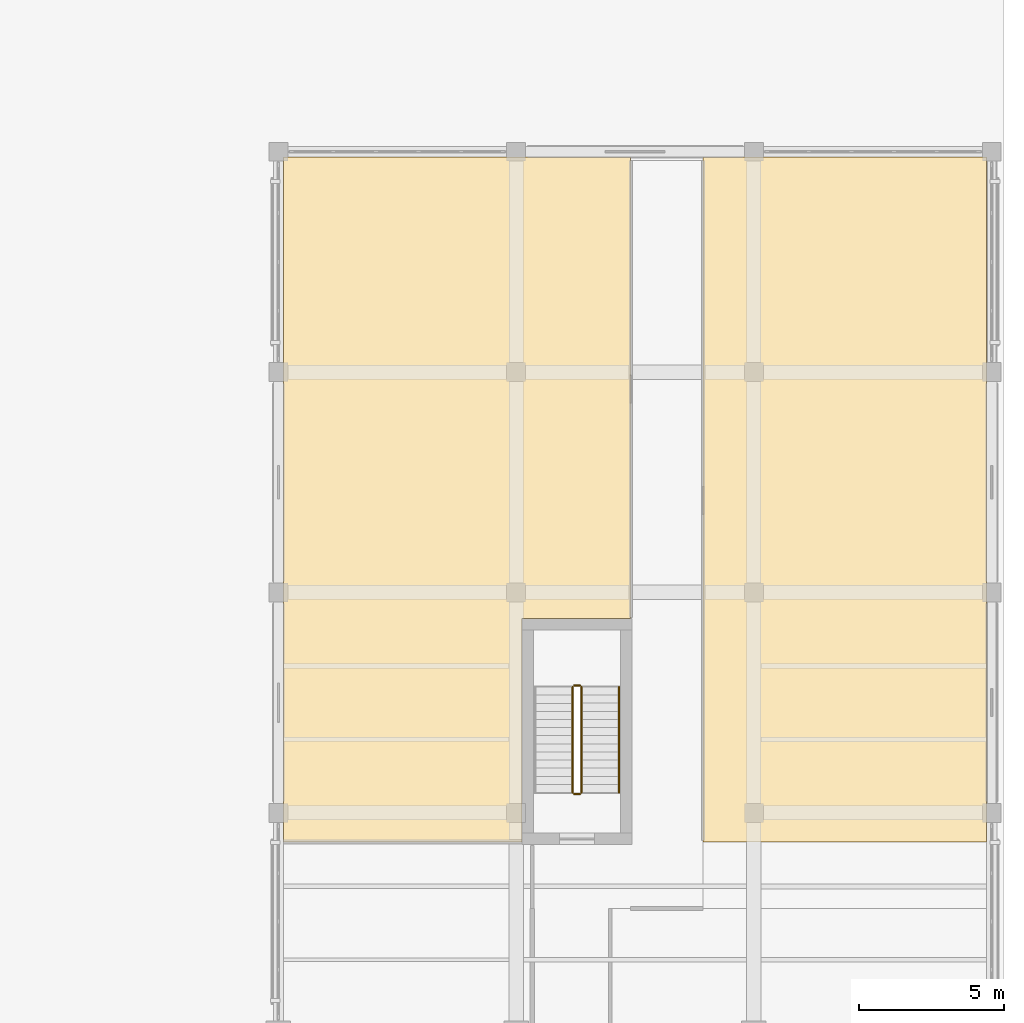
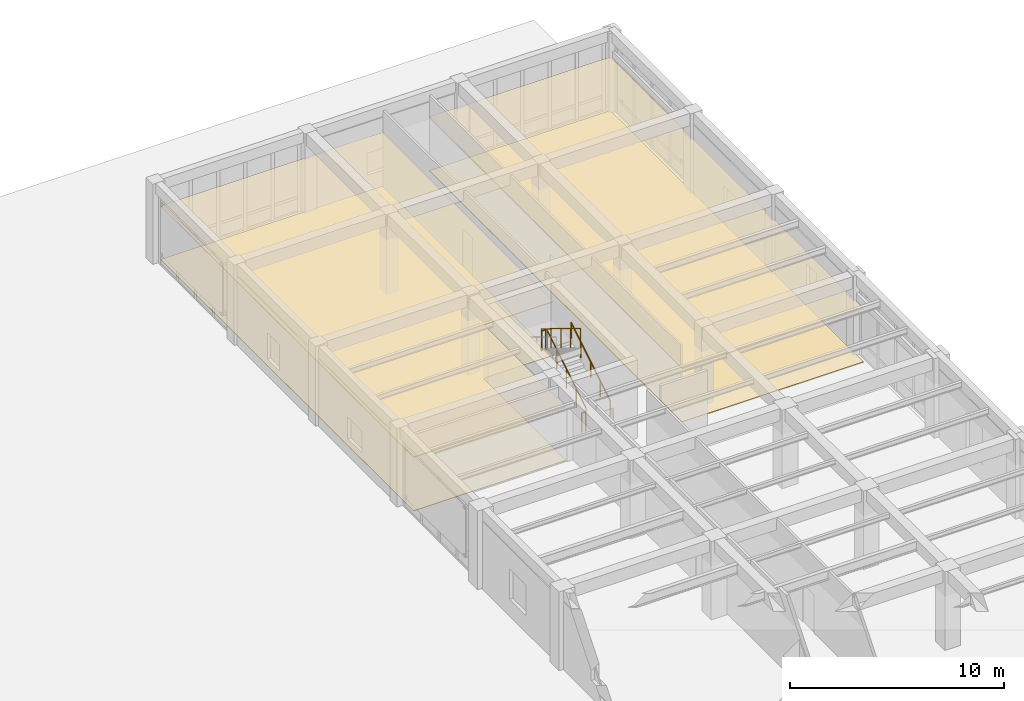
# One storey, part 23 of 23: 5 railings, 4 coverings.
"""IFC4 building model written with IfcOpenShell, lengths in metres."""

import ifcopenshell
import ifcopenshell.guid

model = None  # the IFC model being written
_history = None  # IfcOwnerHistory: only IFC2X3 demands one
_inside = {}  # id of a spatial element -> (the spatial element, [elements in it])
_under = {}  # id of a project, library or spatial element -> (it, [spatial elements below it])
_declared = {}  # id of a project -> (the project, [libraries it declares])
_typed = {}  # id of a type object -> (the type object, [elements of that type])
_made_of = {}  # id of a material, layer set ... -> (it, [elements and type objects made of it])


def new_model(schema):
    """Start an empty IFC model of exactly this schema.

    Asked for "IFC4X3", IfcOpenShell would pick the latest addendum, in which some entities
    have other attributes; the version numbers below select the first issue.
    IFC2X3 requires an IfcOwnerHistory on every rooted entity: one is made here for all.
    """
    global model, _history
    if schema == "IFC4X3":
        model = ifcopenshell.file(schema_version=(4, 3, 0, 0))
    else:
        model = ifcopenshell.file(schema=schema)
    _inside.clear()
    _under.clear()
    _declared.clear()
    _typed.clear()
    _made_of.clear()
    _history = None
    if model.schema == "IFC2X3":
        org = make("IfcOrganization", Name="unknown")
        user = make(
            "IfcPersonAndOrganization",
            ThePerson=make("IfcPerson", FamilyName="unknown"),
            TheOrganization=org,
        )
        app = make(
            "IfcApplication",
            ApplicationDeveloper=org,
            Version="unknown",
            ApplicationFullName="unknown",
            ApplicationIdentifier="unknown",
        )
        _history = make(
            "IfcOwnerHistory",
            OwningUser=user,
            OwningApplication=app,
            ChangeAction="ADDED",
            CreationDate=0,
        )
    return model


def make(cls, **values):
    """One entity of the class cls with the attributes given. An attribute that is None is left unset."""
    return model.create_entity(
        cls, **{name: value for name, value in values.items() if value is not None}
    )


def rooted(cls, **values):
    """An entity with a GlobalId (a new one), such as an element, a storey or a relation."""
    return make(cls, GlobalId=ifcopenshell.guid.new(), OwnerHistory=_history, **values)


def si_unit(unit_type, name, prefix=None):
    """IfcSIUnit, for example si_unit("LENGTHUNIT", "METRE", prefix="MILLI")."""
    return make("IfcSIUnit", UnitType=unit_type, Prefix=prefix, Name=name)


def assignment(units):
    """IfcUnitAssignment: the units of a project."""
    return None if units is None else make("IfcUnitAssignment", Units=units)


def point(xyz):
    """IfcCartesianPoint."""
    return None if xyz is None else make("IfcCartesianPoint", Coordinates=xyz)


def direction(xyz):
    """IfcDirection."""
    return None if xyz is None else make("IfcDirection", DirectionRatios=xyz)


def frame(location, z_axis=None, x_axis=None):
    """IfcAxis2Placement3D, a coordinate frame: its origin and axes. An axis left out is left unset."""
    return make(
        "IfcAxis2Placement3D",
        Location=point(location),
        Axis=direction(z_axis),
        RefDirection=direction(x_axis),
    )


def frame_2d(location, x_axis=None):
    """IfcAxis2Placement2D, a coordinate frame in the plane: its origin and x axis."""
    return make(
        "IfcAxis2Placement2D", Location=point(location), RefDirection=direction(x_axis)
    )


def origin():
    """The frame at (0, 0, 0) with its axes left unset."""
    return frame((0.0, 0.0, 0.0))


def origin_2d():
    """The frame at (0, 0) in the plane with its x axis left unset."""
    return frame_2d((0.0, 0.0))


def place(relative_to, where):
    """IfcLocalPlacement: puts the frame where relative to a parent placement (None: the world)."""
    return make(
        "IfcLocalPlacement", PlacementRelTo=relative_to, RelativePlacement=where
    )


def context(
    kind, dimensions, precision=None, world=None, true_north=None, identifier=None
):
    """IfcGeometricRepresentationContext, for example the 3D "Model" context."""
    return make(
        "IfcGeometricRepresentationContext",
        ContextIdentifier=identifier,
        ContextType=kind,
        CoordinateSpaceDimension=dimensions,
        Precision=precision,
        WorldCoordinateSystem=world,
        TrueNorth=true_north,
    )


def subcontext(parent, identifier, kind, view, scale=None):
    """IfcGeometricRepresentationSubContext, for example "Body" below "Model"."""
    return make(
        "IfcGeometricRepresentationSubContext",
        ContextIdentifier=identifier,
        ContextType=kind,
        ParentContext=parent,
        TargetScale=scale,
        TargetView=view,
    )


def project(units=None, contexts=None):
    """IfcProject with its units and contexts."""
    return rooted(
        "IfcProject",
        Name="project",
        RepresentationContexts=contexts,
        UnitsInContext=assignment(units),
    )


def spatial(cls, under=None, at=None, **own):
    """A site, building, storey or space (cls), placed at a placement, below another one or the project."""
    s = rooted(cls, ObjectPlacement=at, **own)
    if under is not None:
        _under.setdefault(under.id(), (under, []))[1].append(s)
    return s


def polyline(points):
    """IfcPolyline through the points."""
    return make("IfcPolyline", Points=[point(p) for p in points])


def profile(cls, at=None, kind="AREA", **sizes):
    """A parametric profile (cls). Its sizes go by their IFC names, for example OverallWidth=200.0."""
    return make(cls, ProfileType=kind, Position=at, **sizes)


def circle(**sizes):
    """IfcCircleProfileDef."""
    return profile("IfcCircleProfileDef", **sizes)


def outline(outer, holes=None, kind="AREA"):
    """IfcArbitraryClosedProfileDef: a profile drawn as a closed curve; with holes, ...WithVoids."""
    if holes is None:
        return make("IfcArbitraryClosedProfileDef", ProfileType=kind, OuterCurve=outer)
    return make(
        "IfcArbitraryProfileDefWithVoids",
        ProfileType=kind,
        OuterCurve=outer,
        InnerCurves=holes,
    )


def extrude(swept, where, along, depth):
    """IfcExtrudedAreaSolid: the profile swept, set in the frame where, extruded along a direction by depth."""
    return make(
        "IfcExtrudedAreaSolid",
        SweptArea=swept,
        Position=where,
        ExtrudedDirection=direction(along),
        Depth=depth,
    )


def shape(context_of_items, identifier, shape_type, items):
    """IfcShapeRepresentation: the items that make up one representation, for example the "Body"."""
    return make(
        "IfcShapeRepresentation",
        ContextOfItems=context_of_items,
        RepresentationIdentifier=identifier,
        RepresentationType=shape_type,
        Items=items,
    )


def material(Name=None, Category=None):
    """IfcMaterial."""
    return make("IfcMaterial", Name=Name, Category=Category)


def layer(
    of_material, thickness, ventilated=None, Name=None, Category=None, Priority=None
):
    """IfcMaterialLayer: one layer of a wall or slab, of a material (None: an air gap)."""
    return make(
        "IfcMaterialLayer",
        Material=of_material,
        LayerThickness=thickness,
        IsVentilated=ventilated,
        Name=Name,
        Category=Category,
        Priority=Priority,
    )


def layer_set(layers, Name=None):
    """IfcMaterialLayerSet."""
    return make("IfcMaterialLayerSet", MaterialLayers=layers, LayerSetName=Name)


def made_of(thing, what):
    """Note that an element or type object is made of a material, layer set ...; save() writes the relation."""
    if what is not None:
        _made_of.setdefault(what.id(), (what, []))[1].append(thing)
    return thing


def type_object(cls, material=None, **own):
    """A type object (cls), such as IfcWallType, which elements share."""
    return made_of(rooted(cls, **own), material)


def element(
    cls,
    number,
    at=None,
    inside=None,
    cuts=None,
    type_object=None,
    material=None,
    context=None,
    identifier="Body",
    shape_type=None,
    held_by="IfcProductDefinitionShape",
    body=None,
    shapes=None,
    **own,
):
    """One element of the class cls, such as IfcWall. Its Tag is "e" and its number.

    at: its placement. inside: the storey or other place that contains it. cuts: it is an
    opening in that element (IfcRelVoidsElement). A single representation is given by context,
    identifier, shape_type and body (its items); several are given by shapes. held_by: the class
    of the entity that holds the representations. save() writes the other relations.
    """
    e = rooted(cls, Tag="e%d" % number, ObjectPlacement=at, **own)
    if body is not None:
        shapes = [shape(context, identifier, shape_type, body)]
    if shapes is not None:
        e.Representation = make(held_by, Representations=shapes)
    if inside is not None:
        _inside.setdefault(inside.id(), (inside, []))[1].append(e)
    if cuts is not None:
        rooted(
            "IfcRelVoidsElement", RelatingBuildingElement=cuts, RelatedOpeningElement=e
        )
    if type_object is not None:
        _typed.setdefault(type_object.id(), (type_object, []))[1].append(e)
    return made_of(e, material)


def aggregate(whole, parts):
    """IfcRelAggregates: a whole, such as a stair, and the parts it consists of."""
    return rooted("IfcRelAggregates", RelatingObject=whole, RelatedObjects=parts)


def save(model, path):
    """Write the relations noted so far, then the file.

    IfcRelAggregates (storeys below a building ...), IfcRelContainedInSpatialStructure (elements
    in a storey), IfcRelDefinesByType, IfcRelAssociatesMaterial and IfcRelDeclares: one each for
    every whole, place, type object, material and project.
    """
    for whole, parts in _under.values():
        aggregate(whole, parts)
    for where, things in _inside.values():
        rooted(
            "IfcRelContainedInSpatialStructure",
            RelatedElements=things,
            RelatingStructure=where,
        )
    for kind, things in _typed.values():
        rooted("IfcRelDefinesByType", RelatedObjects=things, RelatingType=kind)
    for what, things in _made_of.values():
        rooted("IfcRelAssociatesMaterial", RelatedObjects=things, RelatingMaterial=what)
    for by, libraries in _declared.values():
        rooted("IfcRelDeclares", RelatingContext=by, RelatedDefinitions=libraries)
    model.write(path)


model = new_model("IFC4")

# Units and contexts
model_context = context("Model", 3, precision=1e-05, world=origin(), true_north=direction((0.0, 1.0)))
body_context = subcontext(model_context, "Body", "Model", "MODEL_VIEW")
ifc_project = project(units=[si_unit("LENGTHUNIT", "METRE"), si_unit("AREAUNIT", "SQUARE_METRE"), si_unit("VOLUMEUNIT", "CUBIC_METRE"), si_unit("PLANEANGLEUNIT", "RADIAN"), si_unit("MASSUNIT", "GRAM", prefix="KILO")], contexts=[model_context])

# Site, building, storey
site_placement = place(None, origin())
site = spatial("IfcSite", under=ifc_project, at=site_placement, CompositionType="ELEMENT")
building_placement = place(site_placement, origin())
building = spatial("IfcBuilding", under=site, at=building_placement, Name="Qandaris Square Conservatory and Botanical Centre", CompositionType="ELEMENT")
storey_placement = place(building_placement, frame((0.0, 0.0, 15.0)))
storey = spatial("IfcBuildingStorey", under=building, at=storey_placement, Name="L03", CompositionType="ELEMENT", Elevation=15.0)

# Coverings
ifc_material_1 = material(Name="Honed Qatari Limestone", Category="masonry")
ifc_layer_1 = layer(ifc_material_1, 0.030029296875)
ifc_layer_set_1 = layer_set([ifc_layer_1], Name="Honed Qatari Limestone")
covering_type_1 = type_object("IfcCoveringType", Name="Honed Qatari Limestone Concourse Paving", PredefinedType="FLOORING", material=ifc_layer_set_1)
covering_1_placement = place(storey_placement, origin())
element("IfcCovering", 1, at=covering_1_placement, inside=storey, type_object=covering_type_1, Name="Research Colloquium Room Flooring", PredefinedType="FLOORING", context=body_context, shape_type="SweptSolid", body=[
    extrude(outline(polyline([(151.35009765625, 92.300048828125), (151.35009765625, 76.5), (147.60009765625, 76.5), (147.60009765625, 68.800048828125), (139.3798828125, 68.800048828125), (139.3798828125, 92.419921875), (151.35009765625, 92.419921875), (151.35009765625, 92.300048828125)])), origin(), (0.0, 0.0, 1.0), 0.030029296875),
])
covering_2_placement = place(storey_placement, origin())
element("IfcCovering", 2, at=covering_2_placement, inside=storey, type_object=covering_type_1, Name="Postdoctoral Fellows Workspace Flooring", PredefinedType="FLOORING", context=body_context, shape_type="SweptSolid", body=[
    extrude(outline(polyline([(153.85009765625, 68.800048828125), (153.85009765625, 68.85009765625), (153.85009765625, 92.300048828125), (153.85009765625, 92.419921875), (163.6201171875, 92.419921875), (163.6201171875, 68.800048828125), (153.85009765625, 68.800048828125)])), origin(), (0.0, 0.0, 1.0), 0.030029296875),
])
ifc_material_2 = material(Name="Engineered Oak Timber", Category="wood")
ifc_layer_2 = layer(ifc_material_2, 0.0400390625)
ifc_layer_set_2 = layer_set([ifc_layer_2], Name="Engineered Oak Timber")
covering_type_2 = type_object("IfcCoveringType", Name="Slatted Oak Acoustic Gallery Ceiling", PredefinedType="CEILING", material=ifc_layer_set_2)
covering_3_placement = place(storey_placement, frame((0.0, 0.0, 3.050048828125)))
element("IfcCovering", 3, at=covering_3_placement, inside=storey, type_object=covering_type_2, Name="Research Colloquium Room Ceiling", PredefinedType="CEILING", context=body_context, shape_type="SweptSolid", body=[
    extrude(outline(polyline([(151.35009765625, 92.300048828125), (151.35009765625, 76.5), (147.60009765625, 76.5), (147.60009765625, 68.800048828125), (139.3798828125, 68.800048828125), (139.3798828125, 92.419921875), (151.35009765625, 92.419921875), (151.35009765625, 92.300048828125)])), origin(), (0.0, 0.0, 1.0), 0.0400390625),
])
covering_4_placement = place(storey_placement, frame((0.0, 0.0, 3.050048828125)))
element("IfcCovering", 4, at=covering_4_placement, inside=storey, type_object=covering_type_2, Name="Postdoctoral Fellows Workspace Ceiling", PredefinedType="CEILING", context=body_context, shape_type="SweptSolid", body=[
    extrude(outline(polyline([(153.85009765625, 68.800048828125), (153.85009765625, 68.85009765625), (153.85009765625, 92.300048828125), (153.85009765625, 92.419921875), (163.6201171875, 92.419921875), (163.6201171875, 68.800048828125), (153.85009765625, 68.800048828125)])), origin(), (0.0, 0.0, 1.0), 0.0400390625),
])

# Railings
ifc_material_3 = material(Name="Stainless Steel", Category="steel")
railing_type_1 = type_object("IfcRailingType", Name="Stair Tubular Handrail 920mm", PredefinedType="HANDRAIL", material=ifc_material_3)
railing_1_placement = place(storey_placement, frame((150.949951171875, 70.5, 0.3427734375)))
element("IfcRailing", 5, at=railing_1_placement, inside=storey, type_object=railing_type_1, Name="L03 ST-3 stair handrail 1", PredefinedType="HANDRAIL", context=body_context, shape_type="SweptSolid", body=[
    extrude(circle(Radius=0.02392578125, at=origin_2d()), frame((0.0, 0.0, 0.89599609375), z_axis=(0.0, 0.852824790078, 0.522197163366), x_axis=(-1.0, 0.0, 0.0)), (0.0, 0.0, 1.0), 4.26806640625),
    extrude(circle(Radius=0.02099609375, at=origin_2d()), origin(), (0.0, 0.0, 1.0), 0.871826171875),
    extrude(circle(Radius=0.02099609375, at=origin_2d()), frame((0.0, 0.909912109375, 0.55712890625)), (0.0, 0.0, 1.0), 0.871826171875),
    extrude(circle(Radius=0.02099609375, at=origin_2d()), frame((0.0, 1.81982421875, 1.1142578125)), (0.0, 0.0, 1.0), 0.871826171875),
    extrude(circle(Radius=0.02099609375, at=origin_2d()), frame((0.0, 2.72998046875, 1.671630859375)), (0.0, 0.0, 1.0), 0.871826171875),
    extrude(circle(Radius=0.02099609375, at=origin_2d()), frame((0.0, 3.639892578125, 2.228759765625)), (0.0, 0.0, 1.0), 0.871826171875),
])
railing_type_2 = type_object("IfcRailingType", Name="Stairwell & Atrium Guardrail 1120mm", PredefinedType="GUARDRAIL", material=ifc_material_3)
railing_2_placement = place(storey_placement, frame((149.64990234375, 70.5, 0.17138671875)))
element("IfcRailing", 6, at=railing_2_placement, inside=storey, type_object=railing_type_2, Name="L03 ST-3 stair guard 1", PredefinedType="GUARDRAIL", context=body_context, shape_type="SweptSolid", body=[
    extrude(circle(Radius=0.02392578125, at=origin_2d()), frame((0.0, 0.0, 1.09619140625), z_axis=(0.0, 0.852850264322, 0.5221555579), x_axis=(-1.0, 0.0, 0.0)), (0.0, 0.0, 1.0), 4.267822265625),
    extrude(circle(Radius=0.02099609375, at=origin_2d()), origin(), (0.0, 0.0, 1.0), 1.072021484375),
    extrude(circle(Radius=0.02099609375, at=origin_2d()), frame((0.0, 0.909912109375, 0.55712890625)), (0.0, 0.0, 1.0), 1.072021484375),
    extrude(circle(Radius=0.02099609375, at=origin_2d()), frame((0.0, 1.81982421875, 1.1142578125)), (0.0, 0.0, 1.0), 1.072021484375),
    extrude(circle(Radius=0.02099609375, at=origin_2d()), frame((0.0, 2.72998046875, 1.67138671875)), (0.0, 0.0, 1.0), 1.072021484375),
    extrude(circle(Radius=0.02099609375, at=origin_2d()), frame((0.0, 3.639892578125, 2.228515625)), (0.0, 0.0, 1.0), 1.072021484375),
])
railing_3_placement = place(storey_placement, frame((149.60009765625, 74.18994140625, 2.39990234375)))
element("IfcRailing", 7, at=railing_3_placement, inside=storey, type_object=railing_type_2, Name="L03 ST-3 stair guard 2", PredefinedType="GUARDRAIL", context=body_context, shape_type="SweptSolid", body=[
    extrude(circle(Radius=0.02392578125, at=origin_2d()), frame((0.0, 0.0, 1.09619140625), z_axis=(-1.0, 0.0, 0.0), x_axis=(0.0, -1.0, 0.0)), (0.0, 0.0, 1.0), 0.2001953125),
    extrude(circle(Radius=0.02099609375, at=origin_2d()), origin(), (0.0, 0.0, 1.0), 1.072021484375),
    extrude(circle(Radius=0.02099609375, at=origin_2d()), frame((-0.2001953125, 0.0, 0.0)), (0.0, 0.0, 1.0), 1.072021484375),
])
railing_4_placement = place(storey_placement, frame((149.35009765625, 74.139892578125, 2.571533203125)))
element("IfcRailing", 8, at=railing_4_placement, inside=storey, type_object=railing_type_2, Name="L03 ST-3 stair guard 3", PredefinedType="GUARDRAIL", context=body_context, shape_type="SweptSolid", body=[
    extrude(circle(Radius=0.02392578125, at=origin_2d()), frame((0.0, 0.0, 1.09619140625), z_axis=(0.0, -0.852850264322, 0.5221555579), x_axis=(1.0, 0.0, 0.0)), (0.0, 0.0, 1.0), 4.267822265625),
    extrude(circle(Radius=0.02099609375, at=origin_2d()), origin(), (0.0, 0.0, 1.0), 1.072021484375),
    extrude(circle(Radius=0.02099609375, at=origin_2d()), frame((0.0, -0.909912109375, 0.55712890625)), (0.0, 0.0, 1.0), 1.072021484375),
    extrude(circle(Radius=0.02099609375, at=origin_2d()), frame((0.0, -1.81982421875, 1.1142578125)), (0.0, 0.0, 1.0), 1.072021484375),
    extrude(circle(Radius=0.02099609375, at=origin_2d()), frame((0.0, -2.72998046875, 1.67138671875)), (0.0, 0.0, 1.0), 1.072021484375),
    extrude(circle(Radius=0.02099609375, at=origin_2d()), frame((0.0, -3.639892578125, 2.228515625)), (0.0, 0.0, 1.0), 1.072021484375),
])
railing_5_placement = place(storey_placement, frame((149.60009765625, 70.449951171875, 0.0)))
element("IfcRailing", 9, at=railing_5_placement, inside=storey, type_object=railing_type_2, Name="L03 ST-3 stair guard 4", PredefinedType="GUARDRAIL", context=body_context, shape_type="SweptSolid", body=[
    extrude(circle(Radius=0.02392578125, at=origin_2d()), frame((0.0, 0.0, 1.09619140625), z_axis=(-1.0, 0.0, 0.0), x_axis=(0.0, -1.0, 0.0)), (0.0, 0.0, 1.0), 0.2001953125),
    extrude(circle(Radius=0.02099609375, at=origin_2d()), origin(), (0.0, 0.0, 1.0), 1.072021484375),
    extrude(circle(Radius=0.02099609375, at=origin_2d()), frame((-0.2001953125, 0.0, 0.0)), (0.0, 0.0, 1.0), 1.072021484375),
])

save(model, "model.ifc")
